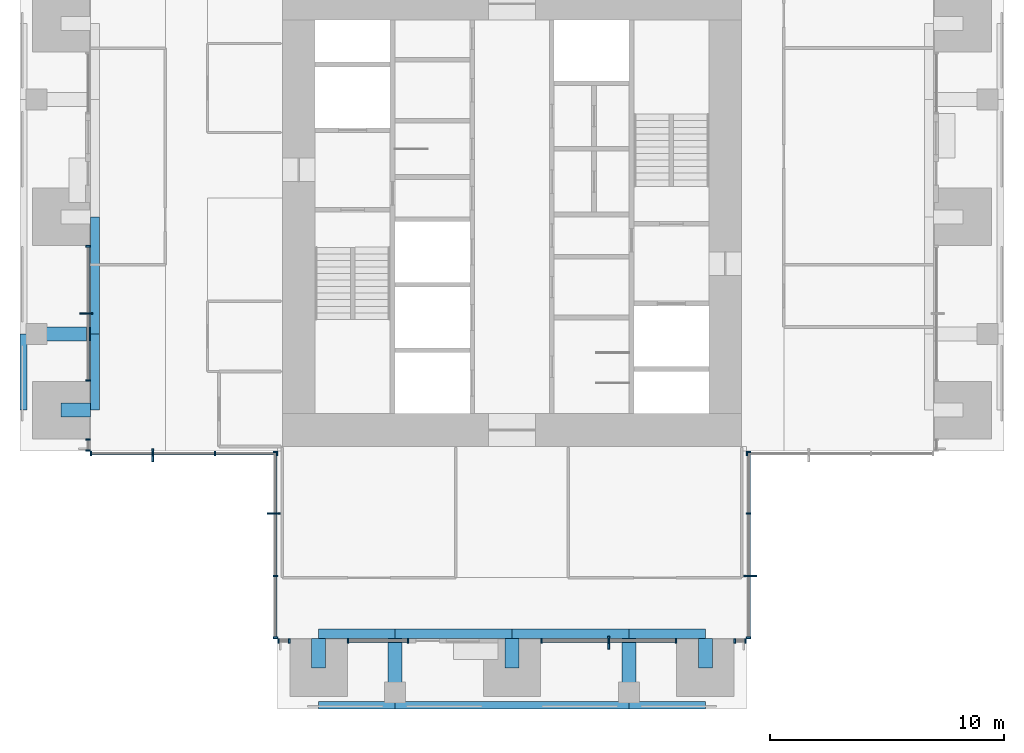
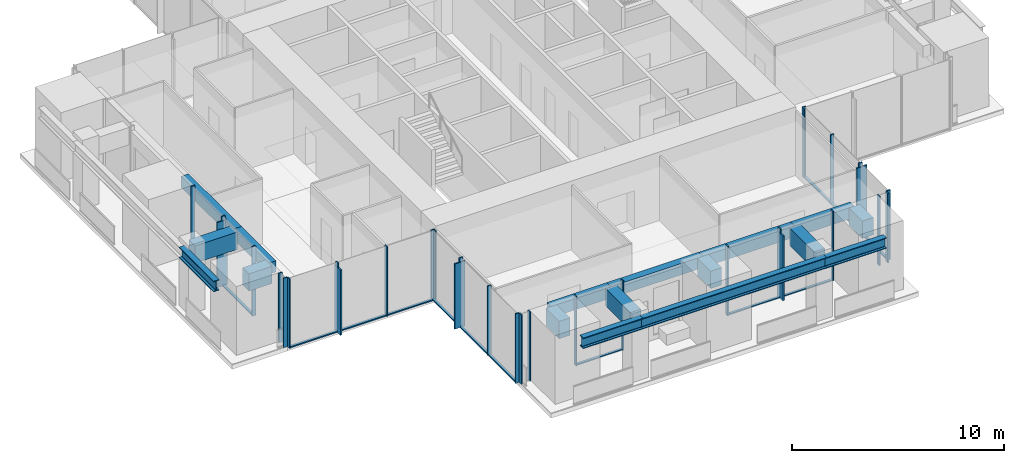
# One storey, part 2 of 17: 46 members, 17 beams, 10 elements without a shape of their own.
"""IFC4 building model written with IfcOpenShell, lengths in metres."""

from ifc_helpers import new_model, si_unit, direction, frame, origin, origin_2d, place, context, subcontext, project, spatial, rectangle, i_section, extrude, material, material_profile, profile_set, type_object, element, aggregate, save


model = new_model("IFC4")

# Units and contexts
model_context = context("Model", 3, precision=1e-05, world=origin(), true_north=direction((0.0, 1.0)))
body_context = subcontext(model_context, "Body", "Model", "MODEL_VIEW")
ifc_project = project(units=[si_unit("LENGTHUNIT", "METRE"), si_unit("AREAUNIT", "SQUARE_METRE"), si_unit("VOLUMEUNIT", "CUBIC_METRE"), si_unit("PLANEANGLEUNIT", "RADIAN"), si_unit("MASSUNIT", "GRAM", prefix="KILO")], contexts=[model_context])

# Site, building, storey
site_placement = place(None, origin())
site = spatial("IfcSite", under=ifc_project, at=site_placement, CompositionType="ELEMENT")
building_placement = place(site_placement, origin())
building = spatial("IfcBuilding", under=site, at=building_placement, Name="Svetlomir Tower", CompositionType="ELEMENT")
storey_placement = place(building_placement, frame((0.0, 0.0, 214.5)))
storey = spatial("IfcBuildingStorey", under=building, at=storey_placement, Name="L51", CompositionType="ELEMENT", Elevation=214.5)

# Curtain wall, member
ifc_material_1 = material(Name="Bronze anodised aluminium curtain wall", Category="aluminium")
curtain_wall_type = type_object("IfcCurtainWallType", Name="CURTAIN WALL CW1 TOWER OFFICE", PredefinedType="NOTDEFINED", material=ifc_material_1)
curtain_wall_1_placement = place(storey_placement, origin())
curtain_wall_1 = element("IfcCurtainWall", 1, at=curtain_wall_1_placement, inside=storey, type_object=curtain_wall_type, Name="Curtain wall CW1 L51", PredefinedType="NOTDEFINED")
ifc_material_2 = material(Name="Bronze anodised aluminium", Category="aluminium")
ifc_material_profile_1 = material_profile(ifc_material_2, rectangle(XDim=0.080078125, YDim=0.550048828125, at=origin_2d()), Name="FIN 80x550")
ifc_profile_set_1 = profile_set([ifc_material_profile_1], Name="Bronze anodised aluminium 6063-T6")
member_type_1 = type_object("IfcMemberType", Name="BRONZE FIN 80x550", PredefinedType="USERDEFINED", material=ifc_profile_set_1)
member_1_placement = place(storey_placement, frame((25.125, 2.824951171875, 0.0), z_axis=(0.0, 0.0, 1.0), x_axis=(1.0, 0.0, 0.0)))
member_1 = element("IfcMember", 2, at=member_1_placement, type_object=member_type_1, Name="Bronze fin L51", ObjectType="FIN", PredefinedType="USERDEFINED", context=body_context, shape_type="SweptSolid", body=[
    extrude(rectangle(XDim=0.080078125, YDim=0.550048828125, at=origin_2d()), origin(), (0.0, 0.0, 1.0), 3.75),
])

curtain_wall_2_placement = place(storey_placement, origin())
curtain_wall_2 = element("IfcCurtainWall", 3, at=curtain_wall_2_placement, inside=storey, type_object=curtain_wall_type, Name="Curtain wall CW1 L51", PredefinedType="NOTDEFINED")
member_2_placement = place(storey_placement, frame((31.175048828125, 5.666748046875, 0.0), z_axis=(0.0, 0.0, 1.0), x_axis=(0.0, 1.0, 0.0)))
member_2 = element("IfcMember", 4, at=member_2_placement, type_object=member_type_1, Name="Bronze fin L51", ObjectType="FIN", PredefinedType="USERDEFINED", context=body_context, shape_type="SweptSolid", body=[
    extrude(rectangle(XDim=0.080078125, YDim=0.550048828125, at=origin_2d()), origin(), (0.0, 0.0, 1.0), 3.75),
])

curtain_wall_3_placement = place(storey_placement, origin())
curtain_wall_3 = element("IfcCurtainWall", 5, at=curtain_wall_3_placement, inside=storey, type_object=curtain_wall_type, Name="Curtain wall CW1 L51", PredefinedType="NOTDEFINED")
member_3_placement = place(storey_placement, frame((2.824951171875, 16.875, 0.0), z_axis=(0.0, 0.0, 1.0), x_axis=(0.0, 1.0, 0.0)))
member_3 = element("IfcMember", 6, at=member_3_placement, type_object=member_type_1, Name="Bronze fin L51", ObjectType="FIN", PredefinedType="USERDEFINED", context=body_context, shape_type="SweptSolid", body=[
    extrude(rectangle(XDim=0.080078125, YDim=0.550048828125, at=origin_2d()), origin(), (0.0, 0.0, 1.0), 3.75),
])

curtain_wall_4_placement = place(storey_placement, origin())
curtain_wall_4 = element("IfcCurtainWall", 7, at=curtain_wall_4_placement, inside=storey, type_object=curtain_wall_type, Name="Curtain wall CW1 L51", PredefinedType="NOTDEFINED")
member_4_placement = place(storey_placement, frame((5.666748046875, 10.824951171875, 0.0), z_axis=(0.0, 0.0, 1.0), x_axis=(1.0, 0.0, 0.0)))
member_4 = element("IfcMember", 8, at=member_4_placement, type_object=member_type_1, Name="Bronze fin L51", ObjectType="FIN", PredefinedType="USERDEFINED", context=body_context, shape_type="SweptSolid", body=[
    extrude(rectangle(XDim=0.080078125, YDim=0.550048828125, at=origin_2d()), origin(), (0.0, 0.0, 1.0), 3.75),
])

curtain_wall_5_placement = place(storey_placement, origin())
curtain_wall_5 = element("IfcCurtainWall", 9, at=curtain_wall_5_placement, inside=storey, type_object=curtain_wall_type, Name="Curtain wall CW1 L51", PredefinedType="NOTDEFINED")
member_5_placement = place(storey_placement, frame((10.824951171875, 8.333251953125, 0.0), z_axis=(0.0, 0.0, 1.0), x_axis=(0.0, 1.0, 0.0)))
member_5 = element("IfcMember", 10, at=member_5_placement, type_object=member_type_1, Name="Bronze fin L51", ObjectType="FIN", PredefinedType="USERDEFINED", context=body_context, shape_type="SweptSolid", body=[
    extrude(rectangle(XDim=0.080078125, YDim=0.550048828125, at=origin_2d()), origin(), (0.0, 0.0, 1.0), 3.75),
])

# Curtain wall, members
curtain_wall_6_placement = place(storey_placement, origin())
curtain_wall_6 = element("IfcCurtainWall", 11, at=curtain_wall_6_placement, inside=storey, type_object=curtain_wall_type, Name="Curtain wall CW1 L51", PredefinedType="NOTDEFINED")
ifc_material_3 = material(Name="Bronze anodised aluminium", Category="aluminium")
ifc_material_profile_2 = material_profile(ifc_material_3, rectangle(XDim=0.06494140625, YDim=0.199951171875, at=origin_2d()), Name="AL 65x200")
ifc_profile_set_2 = profile_set([ifc_material_profile_2], Name="Bronze anodised aluminium 6063-T6")
member_type_2 = type_object("IfcMemberType", Name="CW1 MULLION 65x200", PredefinedType="MULLION", material=ifc_profile_set_2)
member_6_placement = place(storey_placement, frame((11.032470703125, 2.89990234375, 0.0), z_axis=(0.0, 0.0, 1.0), x_axis=(1.0, 0.0, 0.0)))
member_6 = element("IfcMember", 12, at=member_6_placement, type_object=member_type_2, Name="CW1 mullion 1", PredefinedType="MULLION", context=body_context, shape_type="SweptSolid", body=[
    extrude(rectangle(XDim=0.06494140625, YDim=0.199951171875, at=origin_2d()), origin(), (0.0, 0.0, 1.0), 4.0),
])
member_7_placement = place(storey_placement, frame((11.492431640625, 2.89990234375, 0.0), z_axis=(0.0, 0.0, 1.0), x_axis=(1.0, 0.0, 0.0)))
member_7 = element("IfcMember", 13, at=member_7_placement, type_object=member_type_2, Name="CW1 mullion 2", PredefinedType="MULLION", context=body_context, shape_type="SweptSolid", body=[
    extrude(rectangle(XDim=0.06494140625, YDim=0.199951171875, at=origin_2d()), origin(), (0.0, 0.0, 1.0), 4.0),
])
aggregate(curtain_wall_6, [member_6, member_7])

curtain_wall_7_placement = place(storey_placement, origin())
curtain_wall_7 = element("IfcCurtainWall", 14, at=curtain_wall_7_placement, inside=storey, type_object=curtain_wall_type, Name="Curtain wall CW1 L51", PredefinedType="NOTDEFINED")
member_8_placement = place(storey_placement, frame((14.007568359375, 2.89990234375, 0.0), z_axis=(0.0, 0.0, 1.0), x_axis=(1.0, 0.0, 0.0)))
member_8 = element("IfcMember", 15, at=member_8_placement, type_object=member_type_2, Name="CW1 mullion 1", PredefinedType="MULLION", context=body_context, shape_type="SweptSolid", body=[
    extrude(rectangle(XDim=0.06494140625, YDim=0.199951171875, at=origin_2d()), origin(), (0.0, 0.0, 1.0), 4.0),
])
member_9_placement = place(storey_placement, frame((16.5673828125, 2.89990234375, 0.0), z_axis=(0.0, 0.0, 1.0), x_axis=(1.0, 0.0, 0.0)))
member_9 = element("IfcMember", 16, at=member_9_placement, type_object=member_type_2, Name="CW1 mullion 2", PredefinedType="MULLION", context=body_context, shape_type="SweptSolid", body=[
    extrude(rectangle(XDim=0.06494140625, YDim=0.199951171875, at=origin_2d()), origin(), (0.0, 0.0, 1.0), 4.0),
])

# Member
member_10_placement = place(storey_placement, frame((22.257568359375, 2.89990234375, 0.0), z_axis=(0.0, 0.0, 1.0), x_axis=(1.0, 0.0, 0.0)))
member_10 = element("IfcMember", 17, at=member_10_placement, type_object=member_type_2, Name="CW1 mullion 1", PredefinedType="MULLION", context=body_context, shape_type="SweptSolid", body=[
    extrude(rectangle(XDim=0.06494140625, YDim=0.199951171875, at=origin_2d()), origin(), (0.0, 0.0, 1.0), 4.0),
])

member_11_placement = place(storey_placement, frame((25.125, 2.89990234375, 0.0), z_axis=(0.0, 0.0, 1.0), x_axis=(1.0, 0.0, 0.0)))
member_11 = element("IfcMember", 18, at=member_11_placement, type_object=member_type_2, Name="CW1 mullion 2", PredefinedType="MULLION", context=body_context, shape_type="SweptSolid", body=[
    extrude(rectangle(XDim=0.06494140625, YDim=0.199951171875, at=origin_2d()), origin(), (0.0, 0.0, 1.0), 4.0),
])

member_12_placement = place(storey_placement, frame((27.992431640625, 2.89990234375, 0.0), z_axis=(0.0, 0.0, 1.0), x_axis=(1.0, 0.0, 0.0)))
member_12 = element("IfcMember", 19, at=member_12_placement, type_object=member_type_2, Name="CW1 mullion 3", PredefinedType="MULLION", context=body_context, shape_type="SweptSolid", body=[
    extrude(rectangle(XDim=0.06494140625, YDim=0.199951171875, at=origin_2d()), origin(), (0.0, 0.0, 1.0), 4.0),
])

# Curtain wall, members
curtain_wall_8_placement = place(storey_placement, origin())
curtain_wall_8 = element("IfcCurtainWall", 20, at=curtain_wall_8_placement, inside=storey, type_object=curtain_wall_type, Name="Curtain wall CW1 L51", PredefinedType="NOTDEFINED")
member_13_placement = place(storey_placement, frame((30.507568359375, 2.89990234375, 0.0), z_axis=(0.0, 0.0, 1.0), x_axis=(1.0, 0.0, 0.0)))
member_13 = element("IfcMember", 21, at=member_13_placement, type_object=member_type_2, Name="CW1 mullion 1", PredefinedType="MULLION", context=body_context, shape_type="SweptSolid", body=[
    extrude(rectangle(XDim=0.06494140625, YDim=0.199951171875, at=origin_2d()), origin(), (0.0, 0.0, 1.0), 4.0),
])
member_14_placement = place(storey_placement, frame((30.967529296875, 2.89990234375, 0.0), z_axis=(0.0, 0.0, 1.0), x_axis=(1.0, 0.0, 0.0)))
member_14 = element("IfcMember", 22, at=member_14_placement, type_object=member_type_2, Name="CW1 mullion 2", PredefinedType="MULLION", context=body_context, shape_type="SweptSolid", body=[
    extrude(rectangle(XDim=0.06494140625, YDim=0.199951171875, at=origin_2d()), origin(), (0.0, 0.0, 1.0), 4.0),
])
aggregate(curtain_wall_8, [member_13, member_14])

# Member
member_15_placement = place(storey_placement, frame((31.10009765625, 3.032470703125, 0.0), z_axis=(0.0, 0.0, 1.0), x_axis=(0.0, 1.0, 0.0)))
member_15 = element("IfcMember", 23, at=member_15_placement, type_object=member_type_2, Name="CW1 mullion 1", PredefinedType="MULLION", context=body_context, shape_type="SweptSolid", body=[
    extrude(rectangle(XDim=0.06494140625, YDim=0.199951171875, at=origin_2d()), origin(), (0.0, 0.0, 1.0), 4.0),
])

member_16_placement = place(storey_placement, frame((31.10009765625, 5.666748046875, 0.0), z_axis=(0.0, 0.0, 1.0), x_axis=(0.0, 1.0, 0.0)))
member_16 = element("IfcMember", 24, at=member_16_placement, type_object=member_type_2, Name="CW1 mullion 2", PredefinedType="MULLION", context=body_context, shape_type="SweptSolid", body=[
    extrude(rectangle(XDim=0.06494140625, YDim=0.199951171875, at=origin_2d()), origin(), (0.0, 0.0, 1.0), 4.0),
])

member_17_placement = place(storey_placement, frame((31.10009765625, 8.333251953125, 0.0), z_axis=(0.0, 0.0, 1.0), x_axis=(0.0, 1.0, 0.0)))
member_17 = element("IfcMember", 25, at=member_17_placement, type_object=member_type_2, Name="CW1 mullion 3", PredefinedType="MULLION", context=body_context, shape_type="SweptSolid", body=[
    extrude(rectangle(XDim=0.06494140625, YDim=0.199951171875, at=origin_2d()), origin(), (0.0, 0.0, 1.0), 4.0),
])

member_18_placement = place(storey_placement, frame((31.10009765625, 10.967529296875, 0.0), z_axis=(0.0, 0.0, 1.0), x_axis=(0.0, 1.0, 0.0)))
member_18 = element("IfcMember", 26, at=member_18_placement, type_object=member_type_2, Name="CW1 mullion 4", PredefinedType="MULLION", context=body_context, shape_type="SweptSolid", body=[
    extrude(rectangle(XDim=0.06494140625, YDim=0.199951171875, at=origin_2d()), origin(), (0.0, 0.0, 1.0), 4.0),
])

# Curtain wall, member
curtain_wall_9_placement = place(storey_placement, origin())
curtain_wall_9 = element("IfcCurtainWall", 27, at=curtain_wall_9_placement, inside=storey, type_object=curtain_wall_type, Name="Curtain wall CW1 L51", PredefinedType="NOTDEFINED")
member_19_placement = place(storey_placement, frame((31.032470703125, 10.89990234375, 0.0), z_axis=(0.0, 0.0, 1.0), x_axis=(1.0, 0.0, 0.0)))
member_19 = element("IfcMember", 28, at=member_19_placement, type_object=member_type_2, Name="CW1 mullion 1", PredefinedType="MULLION", context=body_context, shape_type="SweptSolid", body=[
    extrude(rectangle(XDim=0.06494140625, YDim=0.199951171875, at=origin_2d()), origin(), (0.0, 0.0, 1.0), 4.0),
])
aggregate(curtain_wall_9, [member_19])

# Member
member_20_placement = place(storey_placement, frame((2.89990234375, 19.742431640625, 0.0), z_axis=(0.0, 0.0, 1.0), x_axis=(0.0, -1.0, 0.0)))
member_20 = element("IfcMember", 29, at=member_20_placement, type_object=member_type_2, Name="CW1 mullion 1", PredefinedType="MULLION", context=body_context, shape_type="SweptSolid", body=[
    extrude(rectangle(XDim=0.06494140625, YDim=0.199951171875, at=origin_2d()), origin(), (0.0, 0.0, 1.0), 4.0),
])

member_21_placement = place(storey_placement, frame((2.89990234375, 16.875, 0.0), z_axis=(0.0, 0.0, 1.0), x_axis=(0.0, -1.0, 0.0)))
member_21 = element("IfcMember", 30, at=member_21_placement, type_object=member_type_2, Name="CW1 mullion 2", PredefinedType="MULLION", context=body_context, shape_type="SweptSolid", body=[
    extrude(rectangle(XDim=0.06494140625, YDim=0.199951171875, at=origin_2d()), origin(), (0.0, 0.0, 1.0), 4.0),
])

member_22_placement = place(storey_placement, frame((2.89990234375, 14.007568359375, 0.0), z_axis=(0.0, 0.0, 1.0), x_axis=(0.0, -1.0, 0.0)))
member_22 = element("IfcMember", 31, at=member_22_placement, type_object=member_type_2, Name="CW1 mullion 3", PredefinedType="MULLION", context=body_context, shape_type="SweptSolid", body=[
    extrude(rectangle(XDim=0.06494140625, YDim=0.199951171875, at=origin_2d()), origin(), (0.0, 0.0, 1.0), 4.0),
])

# Curtain wall, members
curtain_wall_10_placement = place(storey_placement, origin())
curtain_wall_10 = element("IfcCurtainWall", 32, at=curtain_wall_10_placement, inside=storey, type_object=curtain_wall_type, Name="Curtain wall CW1 L51", PredefinedType="NOTDEFINED")
member_23_placement = place(storey_placement, frame((2.89990234375, 11.492431640625, 0.0), z_axis=(0.0, 0.0, 1.0), x_axis=(0.0, -1.0, 0.0)))
member_23 = element("IfcMember", 33, at=member_23_placement, type_object=member_type_2, Name="CW1 mullion 1", PredefinedType="MULLION", context=body_context, shape_type="SweptSolid", body=[
    extrude(rectangle(XDim=0.06494140625, YDim=0.199951171875, at=origin_2d()), origin(), (0.0, 0.0, 1.0), 4.0),
])
member_24_placement = place(storey_placement, frame((2.89990234375, 11.032470703125, 0.0), z_axis=(0.0, 0.0, 1.0), x_axis=(0.0, -1.0, 0.0)))
member_24 = element("IfcMember", 34, at=member_24_placement, type_object=member_type_2, Name="CW1 mullion 2", PredefinedType="MULLION", context=body_context, shape_type="SweptSolid", body=[
    extrude(rectangle(XDim=0.06494140625, YDim=0.199951171875, at=origin_2d()), origin(), (0.0, 0.0, 1.0), 4.0),
])
aggregate(curtain_wall_10, [member_23, member_24])

# Member
member_25_placement = place(storey_placement, frame((3.032470703125, 10.89990234375, 0.0), z_axis=(0.0, 0.0, 1.0), x_axis=(1.0, 0.0, 0.0)))
member_25 = element("IfcMember", 35, at=member_25_placement, type_object=member_type_2, Name="CW1 mullion 1", PredefinedType="MULLION", context=body_context, shape_type="SweptSolid", body=[
    extrude(rectangle(XDim=0.06494140625, YDim=0.199951171875, at=origin_2d()), origin(), (0.0, 0.0, 1.0), 4.0),
])

member_26_placement = place(storey_placement, frame((5.666748046875, 10.89990234375, 0.0), z_axis=(0.0, 0.0, 1.0), x_axis=(1.0, 0.0, 0.0)))
member_26 = element("IfcMember", 36, at=member_26_placement, type_object=member_type_2, Name="CW1 mullion 2", PredefinedType="MULLION", context=body_context, shape_type="SweptSolid", body=[
    extrude(rectangle(XDim=0.06494140625, YDim=0.199951171875, at=origin_2d()), origin(), (0.0, 0.0, 1.0), 4.0),
])

member_27_placement = place(storey_placement, frame((8.333251953125, 10.89990234375, 0.0), z_axis=(0.0, 0.0, 1.0), x_axis=(1.0, 0.0, 0.0)))
member_27 = element("IfcMember", 37, at=member_27_placement, type_object=member_type_2, Name="CW1 mullion 3", PredefinedType="MULLION", context=body_context, shape_type="SweptSolid", body=[
    extrude(rectangle(XDim=0.06494140625, YDim=0.199951171875, at=origin_2d()), origin(), (0.0, 0.0, 1.0), 4.0),
])

member_28_placement = place(storey_placement, frame((10.967529296875, 10.89990234375, 0.0), z_axis=(0.0, 0.0, 1.0), x_axis=(1.0, 0.0, 0.0)))
member_28 = element("IfcMember", 38, at=member_28_placement, type_object=member_type_2, Name="CW1 mullion 4", PredefinedType="MULLION", context=body_context, shape_type="SweptSolid", body=[
    extrude(rectangle(XDim=0.06494140625, YDim=0.199951171875, at=origin_2d()), origin(), (0.0, 0.0, 1.0), 4.0),
])

member_29_placement = place(storey_placement, frame((10.89990234375, 10.967529296875, 0.0), z_axis=(0.0, 0.0, 1.0), x_axis=(0.0, -1.0, 0.0)))
member_29 = element("IfcMember", 39, at=member_29_placement, type_object=member_type_2, Name="CW1 mullion 1", PredefinedType="MULLION", context=body_context, shape_type="SweptSolid", body=[
    extrude(rectangle(XDim=0.06494140625, YDim=0.199951171875, at=origin_2d()), origin(), (0.0, 0.0, 1.0), 4.0),
])

member_30_placement = place(storey_placement, frame((10.89990234375, 8.333251953125, 0.0), z_axis=(0.0, 0.0, 1.0), x_axis=(0.0, -1.0, 0.0)))
member_30 = element("IfcMember", 40, at=member_30_placement, type_object=member_type_2, Name="CW1 mullion 2", PredefinedType="MULLION", context=body_context, shape_type="SweptSolid", body=[
    extrude(rectangle(XDim=0.06494140625, YDim=0.199951171875, at=origin_2d()), origin(), (0.0, 0.0, 1.0), 4.0),
])

member_31_placement = place(storey_placement, frame((10.89990234375, 5.666748046875, 0.0), z_axis=(0.0, 0.0, 1.0), x_axis=(0.0, -1.0, 0.0)))
member_31 = element("IfcMember", 41, at=member_31_placement, type_object=member_type_2, Name="CW1 mullion 3", PredefinedType="MULLION", context=body_context, shape_type="SweptSolid", body=[
    extrude(rectangle(XDim=0.06494140625, YDim=0.199951171875, at=origin_2d()), origin(), (0.0, 0.0, 1.0), 4.0),
])

member_32_placement = place(storey_placement, frame((10.89990234375, 3.032470703125, 0.0), z_axis=(0.0, 0.0, 1.0), x_axis=(0.0, -1.0, 0.0)))
member_32 = element("IfcMember", 42, at=member_32_placement, type_object=member_type_2, Name="CW1 mullion 4", PredefinedType="MULLION", context=body_context, shape_type="SweptSolid", body=[
    extrude(rectangle(XDim=0.06494140625, YDim=0.199951171875, at=origin_2d()), origin(), (0.0, 0.0, 1.0), 4.0),
])

ifc_material_4 = material(Name="Bronze anodised aluminium", Category="aluminium")
ifc_material_profile_3 = material_profile(ifc_material_4, rectangle(XDim=0.139892578125, YDim=0.06494140625, at=origin_2d()), Name="AL 140x65")
ifc_profile_set_3 = profile_set([ifc_material_profile_3], Name="Bronze anodised aluminium 6063-T6")
member_type_3 = type_object("IfcMemberType", Name="CW1 TRANSOM 65x140", PredefinedType="USERDEFINED", material=ifc_profile_set_3)
member_33_placement = place(storey_placement, frame((14.0400390625, 2.89990234375, 0.032470703125), z_axis=(1.0, 0.0, 0.0), x_axis=(0.0, 1.0, 0.0)))
member_33 = element("IfcMember", 43, at=member_33_placement, type_object=member_type_3, Name="CW1 transom 1.1", ObjectType="TRANSOM", PredefinedType="USERDEFINED", context=body_context, shape_type="SweptSolid", body=[
    extrude(rectangle(XDim=0.139892578125, YDim=0.06494140625, at=origin_2d()), origin(), (0.0, 0.0, 1.0), 2.494873046875),
])

aggregate(curtain_wall_7, [member_8, member_9, member_33])

member_34_placement = place(storey_placement, frame((22.2900390625, 2.89990234375, 0.032470703125), z_axis=(1.0, 0.0, 0.0), x_axis=(0.0, 1.0, 0.0)))
member_34 = element("IfcMember", 44, at=member_34_placement, type_object=member_type_3, Name="CW1 transom 1.1", ObjectType="TRANSOM", PredefinedType="USERDEFINED", context=body_context, shape_type="SweptSolid", body=[
    extrude(rectangle(XDim=0.139892578125, YDim=0.06494140625, at=origin_2d()), origin(), (0.0, 0.0, 1.0), 2.802490234375),
])

member_35_placement = place(storey_placement, frame((25.157470703125, 2.89990234375, 0.032470703125), z_axis=(1.0, 0.0, 0.0), x_axis=(0.0, 1.0, 0.0)))
member_35 = element("IfcMember", 45, at=member_35_placement, type_object=member_type_3, Name="CW1 transom 2.1", ObjectType="TRANSOM", PredefinedType="USERDEFINED", context=body_context, shape_type="SweptSolid", body=[
    extrude(rectangle(XDim=0.139892578125, YDim=0.06494140625, at=origin_2d()), origin(), (0.0, 0.0, 1.0), 2.802490234375),
])

aggregate(curtain_wall_1, [member_10, member_11, member_12, member_34, member_35, member_1])

member_36_placement = place(storey_placement, frame((31.10009765625, 3.06494140625, 0.032470703125), z_axis=(0.0, 1.0, 0.0), x_axis=(-1.0, 0.0, 0.0)))
member_36 = element("IfcMember", 46, at=member_36_placement, type_object=member_type_3, Name="CW1 transom 1.1", ObjectType="TRANSOM", PredefinedType="USERDEFINED", context=body_context, shape_type="SweptSolid", body=[
    extrude(rectangle(XDim=0.139892578125, YDim=0.06494140625, at=origin_2d()), origin(), (0.0, 0.0, 1.0), 2.5693359375),
])

member_37_placement = place(storey_placement, frame((31.10009765625, 5.69921875, 0.032470703125), z_axis=(0.0, 1.0, 0.0), x_axis=(-1.0, 0.0, 0.0)))
member_37 = element("IfcMember", 47, at=member_37_placement, type_object=member_type_3, Name="CW1 transom 2.1", ObjectType="TRANSOM", PredefinedType="USERDEFINED", context=body_context, shape_type="SweptSolid", body=[
    extrude(rectangle(XDim=0.139892578125, YDim=0.06494140625, at=origin_2d()), origin(), (0.0, 0.0, 1.0), 2.6015625),
])

member_38_placement = place(storey_placement, frame((31.10009765625, 8.36572265625, 0.032470703125), z_axis=(0.0, 1.0, 0.0), x_axis=(-1.0, 0.0, 0.0)))
member_38 = element("IfcMember", 48, at=member_38_placement, type_object=member_type_3, Name="CW1 transom 3.1", ObjectType="TRANSOM", PredefinedType="USERDEFINED", context=body_context, shape_type="SweptSolid", body=[
    extrude(rectangle(XDim=0.139892578125, YDim=0.06494140625, at=origin_2d()), origin(), (0.0, 0.0, 1.0), 2.5693359375),
])

aggregate(curtain_wall_2, [member_15, member_16, member_17, member_18, member_36, member_37, member_38, member_2])

member_39_placement = place(storey_placement, frame((2.89990234375, 19.7099609375, 0.032470703125), z_axis=(0.0, -1.0, 0.0), x_axis=(1.0, 0.0, 0.0)))
member_39 = element("IfcMember", 49, at=member_39_placement, type_object=member_type_3, Name="CW1 transom 1.1", ObjectType="TRANSOM", PredefinedType="USERDEFINED", context=body_context, shape_type="SweptSolid", body=[
    extrude(rectangle(XDim=0.139892578125, YDim=0.06494140625, at=origin_2d()), origin(), (0.0, 0.0, 1.0), 2.802490234375),
])

member_40_placement = place(storey_placement, frame((2.89990234375, 16.842529296875, 0.032470703125), z_axis=(0.0, -1.0, 0.0), x_axis=(1.0, 0.0, 0.0)))
member_40 = element("IfcMember", 50, at=member_40_placement, type_object=member_type_3, Name="CW1 transom 2.1", ObjectType="TRANSOM", PredefinedType="USERDEFINED", context=body_context, shape_type="SweptSolid", body=[
    extrude(rectangle(XDim=0.139892578125, YDim=0.06494140625, at=origin_2d()), origin(), (0.0, 0.0, 1.0), 2.802490234375),
])

aggregate(curtain_wall_3, [member_20, member_21, member_22, member_39, member_40, member_3])

member_41_placement = place(storey_placement, frame((3.06494140625, 10.89990234375, 0.032470703125), z_axis=(1.0, 0.0, 0.0), x_axis=(0.0, 1.0, 0.0)))
member_41 = element("IfcMember", 51, at=member_41_placement, type_object=member_type_3, Name="CW1 transom 1.1", ObjectType="TRANSOM", PredefinedType="USERDEFINED", context=body_context, shape_type="SweptSolid", body=[
    extrude(rectangle(XDim=0.139892578125, YDim=0.06494140625, at=origin_2d()), origin(), (0.0, 0.0, 1.0), 2.5693359375),
])

member_42_placement = place(storey_placement, frame((5.69921875, 10.89990234375, 0.032470703125), z_axis=(1.0, 0.0, 0.0), x_axis=(0.0, 1.0, 0.0)))
member_42 = element("IfcMember", 52, at=member_42_placement, type_object=member_type_3, Name="CW1 transom 2.1", ObjectType="TRANSOM", PredefinedType="USERDEFINED", context=body_context, shape_type="SweptSolid", body=[
    extrude(rectangle(XDim=0.139892578125, YDim=0.06494140625, at=origin_2d()), origin(), (0.0, 0.0, 1.0), 2.6015625),
])

member_43_placement = place(storey_placement, frame((8.36572265625, 10.89990234375, 0.032470703125), z_axis=(1.0, 0.0, 0.0), x_axis=(0.0, 1.0, 0.0)))
member_43 = element("IfcMember", 53, at=member_43_placement, type_object=member_type_3, Name="CW1 transom 3.1", ObjectType="TRANSOM", PredefinedType="USERDEFINED", context=body_context, shape_type="SweptSolid", body=[
    extrude(rectangle(XDim=0.139892578125, YDim=0.06494140625, at=origin_2d()), origin(), (0.0, 0.0, 1.0), 2.5693359375),
])

aggregate(curtain_wall_4, [member_25, member_26, member_27, member_28, member_41, member_42, member_43, member_4])

member_44_placement = place(storey_placement, frame((10.89990234375, 10.93505859375, 0.032470703125), z_axis=(0.0, -1.0, 0.0), x_axis=(1.0, 0.0, 0.0)))
member_44 = element("IfcMember", 54, at=member_44_placement, type_object=member_type_3, Name="CW1 transom 1.1", ObjectType="TRANSOM", PredefinedType="USERDEFINED", context=body_context, shape_type="SweptSolid", body=[
    extrude(rectangle(XDim=0.139892578125, YDim=0.06494140625, at=origin_2d()), origin(), (0.0, 0.0, 1.0), 2.5693359375),
])

member_45_placement = place(storey_placement, frame((10.89990234375, 8.30078125, 0.032470703125), z_axis=(0.0, -1.0, 0.0), x_axis=(1.0, 0.0, 0.0)))
member_45 = element("IfcMember", 55, at=member_45_placement, type_object=member_type_3, Name="CW1 transom 2.1", ObjectType="TRANSOM", PredefinedType="USERDEFINED", context=body_context, shape_type="SweptSolid", body=[
    extrude(rectangle(XDim=0.139892578125, YDim=0.06494140625, at=origin_2d()), origin(), (0.0, 0.0, 1.0), 2.6015625),
])

member_46_placement = place(storey_placement, frame((10.89990234375, 5.63427734375, 0.032470703125), z_axis=(0.0, -1.0, 0.0), x_axis=(1.0, 0.0, 0.0)))
member_46 = element("IfcMember", 56, at=member_46_placement, type_object=member_type_3, Name="CW1 transom 3.1", ObjectType="TRANSOM", PredefinedType="USERDEFINED", context=body_context, shape_type="SweptSolid", body=[
    extrude(rectangle(XDim=0.139892578125, YDim=0.06494140625, at=origin_2d()), origin(), (0.0, 0.0, 1.0), 2.5693359375),
])

aggregate(curtain_wall_5, [member_29, member_30, member_31, member_32, member_44, member_45, member_46, member_5])

# Beams
ifc_material_5 = material(Name="Steel S355", Category="steel")
ifc_material_profile_4 = material_profile(ifc_material_5, i_section(OverallWidth=0.304931640625, OverallDepth=0.6201171875, WebThickness=0.02099609375, FlangeThickness=0.0400390625, FilletRadius=0.027099609375, at=origin_2d()), Name="HEM 600")
ifc_profile_set_4 = profile_set([ifc_material_profile_4], Name="Steel S355")
beam_type_1 = type_object("IfcBeamType", Name="EDGE BEAM HEM 600", PredefinedType="SPANDREL", material=ifc_profile_set_4)
for number, where, z_axis, x_axis, name in (
    (57, (12.75, 0.152587890625, 3.43994140625), (1.0, 0.0, 0.0), (0.0, 1.0, 0.0), "Edge beam 11/0 to 16/0 under L52"),
    (58, (0.152587890625, 12.75, 3.43994140625), (0.0, 1.0, 0.0), (-1.0, 0.0, 0.0), "Edge beam 0/11 to 0/16 under L52"),
):
    element("IfcBeam", number, at=place(storey_placement, frame(where, z_axis=z_axis, x_axis=x_axis)), inside=storey, type_object=beam_type_1, Name=name, PredefinedType="SPANDREL", context=body_context, shape_type="SweptSolid", body=[
        extrude(i_section(OverallWidth=0.304931640625, OverallDepth=0.6201171875, WebThickness=0.02099609375, FlangeThickness=0.0400390625, FilletRadius=0.027099609375, at=origin_2d()), origin(), (0.0, 0.0, 1.0), 3.25),
    ])
beam_1_placement = place(storey_placement, frame((16.0, 0.152587890625, 3.43994140625), z_axis=(1.0, 0.0, 0.0), x_axis=(0.0, 1.0, 0.0)))
element("IfcBeam", 59, at=beam_1_placement, inside=storey, type_object=beam_type_1, Name="Edge beam 16/0 to 26/0 under L52", PredefinedType="SPANDREL", context=body_context, shape_type="SweptSolid", body=[
    extrude(i_section(OverallWidth=0.304931640625, OverallDepth=0.6201171875, WebThickness=0.02099609375, FlangeThickness=0.0400390625, FilletRadius=0.027099609375, at=origin_2d()), origin(), (0.0, 0.0, 1.0), 10.0),
])
beam_2_placement = place(storey_placement, frame((26.0, 0.152587890625, 3.43994140625), z_axis=(1.0, 0.0, 0.0), x_axis=(0.0, 1.0, 0.0)))
element("IfcBeam", 60, at=beam_2_placement, inside=storey, type_object=beam_type_1, Name="Edge beam 26/0 to 31/0 under L52", PredefinedType="SPANDREL", context=body_context, shape_type="SweptSolid", body=[
    extrude(i_section(OverallWidth=0.304931640625, OverallDepth=0.6201171875, WebThickness=0.02099609375, FlangeThickness=0.0400390625, FilletRadius=0.027099609375, at=origin_2d()), origin(), (0.0, 0.0, 1.0), 3.25),
])
ifc_material_6 = material(Name="Concrete C60/75", Category="concrete")
ifc_material_profile_5 = material_profile(ifc_material_6, rectangle(XDim=0.39990234375, YDim=0.64990234375, at=origin_2d()), Name="RC 400x650")
ifc_profile_set_5 = profile_set([ifc_material_profile_5], Name="Concrete C60/75")
beam_type_2 = type_object("IfcBeamType", Name="FACADE EDGE BEAM RC 400x650", PredefinedType="BEAM", material=ifc_profile_set_5)
beam_3_placement = place(storey_placement, frame((12.75, 3.199951171875, 3.425048828125), z_axis=(1.0, 0.0, 0.0), x_axis=(0.0, 1.0, 0.0)))
element("IfcBeam", 61, at=beam_3_placement, inside=storey, type_object=beam_type_2, Name="Facade edge beam S 11 to 16 under L52", PredefinedType="BEAM", context=body_context, shape_type="SweptSolid", body=[
    extrude(rectangle(XDim=0.39990234375, YDim=0.64990234375, at=origin_2d()), origin(), (0.0, 0.0, 1.0), 3.25),
])
for number, where, z_axis, x_axis, name in (
    (62, (16.0, 3.199951171875, 3.425048828125), (1.0, 0.0, 0.0), (0.0, 1.0, 0.0), "Facade edge beam S 16 to 21 under L52"),
    (63, (21.0, 3.199951171875, 3.425048828125), (1.0, 0.0, 0.0), (0.0, 1.0, 0.0), "Facade edge beam S 21 to 26 under L52"),
):
    element("IfcBeam", number, at=place(storey_placement, frame(where, z_axis=z_axis, x_axis=x_axis)), inside=storey, type_object=beam_type_2, Name=name, PredefinedType="BEAM", context=body_context, shape_type="SweptSolid", body=[
        extrude(rectangle(XDim=0.39990234375, YDim=0.64990234375, at=origin_2d()), origin(), (0.0, 0.0, 1.0), 5.0),
    ])
for number, where, z_axis, x_axis, name in (
    (64, (26.0, 3.199951171875, 3.425048828125), (1.0, 0.0, 0.0), (0.0, 1.0, 0.0), "Facade edge beam S 26 to 31 under L52"),
    (65, (3.199951171875, 12.75, 3.425048828125), (0.0, 1.0, 0.0), (-1.0, 0.0, 0.0), "Facade edge beam W 11 to 16 under L52"),
):
    element("IfcBeam", number, at=place(storey_placement, frame(where, z_axis=z_axis, x_axis=x_axis)), inside=storey, type_object=beam_type_2, Name=name, PredefinedType="BEAM", context=body_context, shape_type="SweptSolid", body=[
        extrude(rectangle(XDim=0.39990234375, YDim=0.64990234375, at=origin_2d()), origin(), (0.0, 0.0, 1.0), 3.25),
    ])
beam_4_placement = place(storey_placement, frame((3.199951171875, 16.0, 3.425048828125), z_axis=(0.0, 1.0, 0.0), x_axis=(-1.0, 0.0, 0.0)))
element("IfcBeam", 66, at=beam_4_placement, inside=storey, type_object=beam_type_2, Name="Facade edge beam W 16 to 21 under L52", PredefinedType="BEAM", context=body_context, shape_type="SweptSolid", body=[
    extrude(rectangle(XDim=0.39990234375, YDim=0.64990234375, at=origin_2d()), origin(), (0.0, 0.0, 1.0), 5.0),
])
ifc_material_7 = material(Name="Concrete C60/75", Category="concrete")
ifc_material_profile_6 = material_profile(ifc_material_7, rectangle(XDim=0.60009765625, YDim=1.0, at=origin_2d()), Name="RC 600x1000")
ifc_profile_set_6 = profile_set([ifc_material_profile_6], Name="Concrete C60/75")
beam_type_3 = type_object("IfcBeamType", Name="LOGGIA LINK BEAM RC 600x1000", PredefinedType="BEAM", material=ifc_profile_set_6)
beam_5_placement = place(storey_placement, frame((12.75, 1.75, 3.25), z_axis=(0.0, 1.0, 0.0), x_axis=(-1.0, 0.0, 0.0)))
element("IfcBeam", 67, at=beam_5_placement, inside=storey, type_object=beam_type_3, Name="Loggia link beam S 11 under L52", PredefinedType="BEAM", context=body_context, shape_type="SweptSolid", body=[
    extrude(rectangle(XDim=0.60009765625, YDim=1.0, at=origin_2d()), origin(), (0.0, 0.0, 1.0), 1.25),
])
beam_6_placement = place(storey_placement, frame((16.0, 0.699951171875, 3.25), z_axis=(0.0, 1.0, 0.0), x_axis=(-1.0, 0.0, 0.0)))
element("IfcBeam", 68, at=beam_6_placement, inside=storey, type_object=beam_type_3, Name="Loggia link beam S 16 under L52", PredefinedType="BEAM", context=body_context, shape_type="SweptSolid", body=[
    extrude(rectangle(XDim=0.60009765625, YDim=1.0, at=origin_2d()), origin(), (0.0, 0.0, 1.0), 2.300048828125),
])
beam_7_placement = place(storey_placement, frame((21.0, 1.75, 3.25), z_axis=(0.0, 1.0, 0.0), x_axis=(-1.0, 0.0, 0.0)))
element("IfcBeam", 69, at=beam_7_placement, inside=storey, type_object=beam_type_3, Name="Loggia link beam S 21 under L52", PredefinedType="BEAM", context=body_context, shape_type="SweptSolid", body=[
    extrude(rectangle(XDim=0.60009765625, YDim=1.0, at=origin_2d()), origin(), (0.0, 0.0, 1.0), 1.25),
])
beam_8_placement = place(storey_placement, frame((26.0, 0.699951171875, 3.25), z_axis=(0.0, 1.0, 0.0), x_axis=(-1.0, 0.0, 0.0)))
element("IfcBeam", 70, at=beam_8_placement, inside=storey, type_object=beam_type_3, Name="Loggia link beam S 26 under L52", PredefinedType="BEAM", context=body_context, shape_type="SweptSolid", body=[
    extrude(rectangle(XDim=0.60009765625, YDim=1.0, at=origin_2d()), origin(), (0.0, 0.0, 1.0), 2.300048828125),
])
for number, where, z_axis, x_axis, name in (
    (71, (29.25, 1.75, 3.25), (0.0, 1.0, 0.0), (-1.0, 0.0, 0.0), "Loggia link beam S 31 under L52"),
    (72, (1.75, 12.75, 3.25), (1.0, 0.0, 0.0), (0.0, 1.0, 0.0), "Loggia link beam W 11 under L52"),
):
    element("IfcBeam", number, at=place(storey_placement, frame(where, z_axis=z_axis, x_axis=x_axis)), inside=storey, type_object=beam_type_3, Name=name, PredefinedType="BEAM", context=body_context, shape_type="SweptSolid", body=[
        extrude(rectangle(XDim=0.60009765625, YDim=1.0, at=origin_2d()), origin(), (0.0, 0.0, 1.0), 1.25),
    ])
beam_9_placement = place(storey_placement, frame((0.699951171875, 16.0, 3.25), z_axis=(1.0, 0.0, 0.0), x_axis=(0.0, 1.0, 0.0)))
element("IfcBeam", 73, at=beam_9_placement, inside=storey, type_object=beam_type_3, Name="Loggia link beam W 16 under L52", PredefinedType="BEAM", context=body_context, shape_type="SweptSolid", body=[
    extrude(rectangle(XDim=0.60009765625, YDim=1.0, at=origin_2d()), origin(), (0.0, 0.0, 1.0), 2.300048828125),
])

save(model, "model.ifc")
